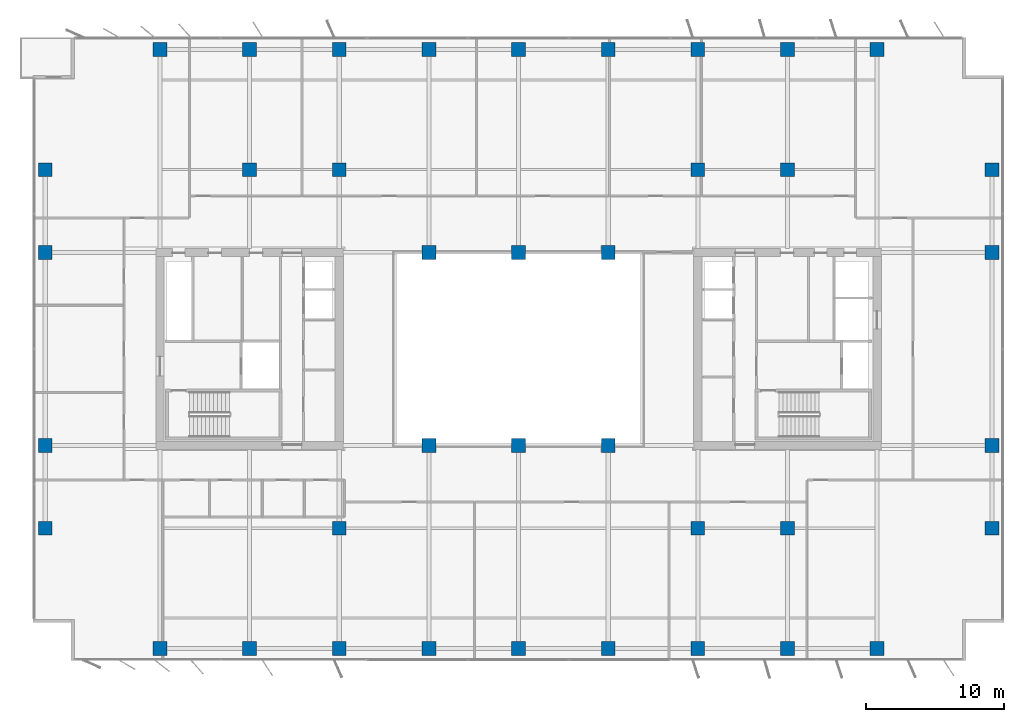
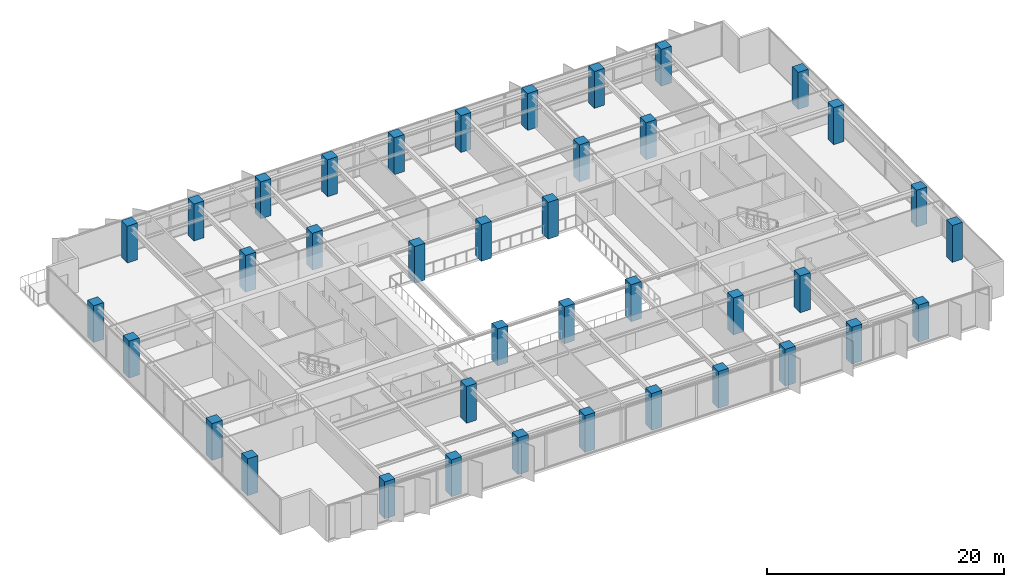
# One storey, part 1 of 22: 39 columns.
"""IFC4 building model written with IfcOpenShell, lengths in metres."""

from ifc_helpers import new_model, si_unit, direction, frame, origin, origin_2d, place, context, subcontext, project, spatial, rectangle, extrude, material, material_profile, profile_set, type_object, element, save


model = new_model("IFC4")

# Units and contexts
model_context = context("Model", 3, precision=1e-05, world=origin(), true_north=direction((0.0, 1.0)))
body_context = subcontext(model_context, "Body", "Model", "MODEL_VIEW")
ifc_project = project(units=[si_unit("LENGTHUNIT", "METRE"), si_unit("AREAUNIT", "SQUARE_METRE"), si_unit("VOLUMEUNIT", "CUBIC_METRE"), si_unit("PLANEANGLEUNIT", "RADIAN"), si_unit("MASSUNIT", "GRAM", prefix="KILO")], contexts=[model_context])

# Site, building, storey
site_placement = place(None, origin())
site = spatial("IfcSite", under=ifc_project, at=site_placement, CompositionType="ELEMENT")
building_placement = place(site_placement, origin())
building = spatial("IfcBuilding", under=site, at=building_placement, Name="Putna Gate Headquarters", CompositionType="ELEMENT")
storey_placement = place(building_placement, frame((0.0, 0.0, 155.60009765625)))
storey = spatial("IfcBuildingStorey", under=building, at=storey_placement, Name="L38", CompositionType="ELEMENT", Elevation=155.60009765625)

# Columns
ifc_material = material(Name="Concrete C50/60", Category="concrete")
ifc_material_profile_1 = material_profile(ifc_material, rectangle(XDim=1.0, YDim=1.0, at=origin_2d()), Name="Concrete C50/60")
ifc_profile_set_1 = profile_set([ifc_material_profile_1], Name="Concrete C50/60")
column_type_1 = type_object("IfcColumnType", Name="COL-RC1000-EXT", PredefinedType="COLUMN", material=ifc_profile_set_1)
for number, where, z_axis, x_axis, name in (
    (1, (13.0, 4.280029296875, 0.0), (0.0, 0.0, 1.0), (1.0, 0.0, 0.0), "L38 Column CP-S13"),
    (2, (13.0, 47.719970703125, 0.0), (0.0, 0.0, 1.0), (1.0, 0.0, 0.0), "L38 Column CP-N13"),
    (3, (19.5, 4.280029296875, 0.0), (0.0, 0.0, 1.0), (1.0, 0.0, 0.0), "L38 Column CP-S19"),
    (4, (19.5, 47.719970703125, 0.0), (0.0, 0.0, 1.0), (1.0, 0.0, 0.0), "L38 Column CP-N19"),
    (5, (26.0, 4.280029296875, 0.0), (0.0, 0.0, 1.0), (1.0, 0.0, 0.0), "L38 Column CP-S26"),
    (6, (26.0, 47.719970703125, 0.0), (0.0, 0.0, 1.0), (1.0, 0.0, 0.0), "L38 Column CP-N26"),
    (7, (32.5, 4.280029296875, 0.0), (0.0, 0.0, 1.0), (1.0, 0.0, 0.0), "L38 Column CP-S32"),
    (8, (32.5, 47.719970703125, 0.0), (0.0, 0.0, 1.0), (1.0, 0.0, 0.0), "L38 Column CP-N32"),
    (9, (39.0, 4.280029296875, 0.0), (0.0, 0.0, 1.0), (1.0, 0.0, 0.0), "L38 Column CP-S39"),
    (10, (39.0, 47.719970703125, 0.0), (0.0, 0.0, 1.0), (1.0, 0.0, 0.0), "L38 Column CP-N39"),
    (11, (45.5, 4.280029296875, 0.0), (0.0, 0.0, 1.0), (1.0, 0.0, 0.0), "L38 Column CP-S45"),
    (12, (45.5, 47.719970703125, 0.0), (0.0, 0.0, 1.0), (1.0, 0.0, 0.0), "L38 Column CP-N45"),
    (13, (52.0, 4.280029296875, 0.0), (0.0, 0.0, 1.0), (1.0, 0.0, 0.0), "L38 Column CP-S52"),
    (14, (52.0, 47.719970703125, 0.0), (0.0, 0.0, 1.0), (1.0, 0.0, 0.0), "L38 Column CP-N52"),
    (15, (58.5, 4.280029296875, 0.0), (0.0, 0.0, 1.0), (1.0, 0.0, 0.0), "L38 Column CP-S58"),
    (16, (58.5, 47.719970703125, 0.0), (0.0, 0.0, 1.0), (1.0, 0.0, 0.0), "L38 Column CP-N58"),
    (17, (65.0, 4.280029296875, 0.0), (0.0, 0.0, 1.0), (1.0, 0.0, 0.0), "L38 Column CP-S65"),
    (18, (65.0, 47.719970703125, 0.0), (0.0, 0.0, 1.0), (1.0, 0.0, 0.0), "L38 Column CP-N65"),
    (19, (4.679931640625, 13.0, 0.0), (0.0, 0.0, 1.0), (1.0, 0.0, 0.0), "L38 Column CP-W13"),
    (20, (73.320068359375, 13.0, 0.0), (0.0, 0.0, 1.0), (1.0, 0.0, 0.0), "L38 Column CP-E13"),
    (21, (4.679931640625, 19.0, 0.0), (0.0, 0.0, 1.0), (1.0, 0.0, 0.0), "L38 Column CP-W19"),
    (22, (73.320068359375, 19.0, 0.0), (0.0, 0.0, 1.0), (1.0, 0.0, 0.0), "L38 Column CP-E19"),
    (23, (4.679931640625, 33.0, 0.0), (0.0, 0.0, 1.0), (1.0, 0.0, 0.0), "L38 Column CP-W33"),
    (24, (73.320068359375, 33.0, 0.0), (0.0, 0.0, 1.0), (1.0, 0.0, 0.0), "L38 Column CP-E33"),
    (25, (4.679931640625, 39.0, 0.0), (0.0, 0.0, 1.0), (1.0, 0.0, 0.0), "L38 Column CP-W39"),
    (26, (73.320068359375, 39.0, 0.0), (0.0, 0.0, 1.0), (1.0, 0.0, 0.0), "L38 Column CP-E39"),
):
    element("IfcColumn", number, at=place(storey_placement, frame(where, z_axis=z_axis, x_axis=x_axis)), inside=storey, type_object=column_type_1, Name=name, PredefinedType="COLUMN", context=body_context, shape_type="SweptSolid", body=[
        extrude(rectangle(XDim=1.0, YDim=1.0, at=origin_2d()), origin(), (0.0, 0.0, 1.0), 3.7998046875),
    ])
ifc_material_profile_2 = material_profile(ifc_material, rectangle(XDim=1.0, YDim=1.0, at=origin_2d()), Name="Concrete C50/60")
ifc_profile_set_2 = profile_set([ifc_material_profile_2], Name="Concrete C50/60")
column_type_2 = type_object("IfcColumnType", Name="COL-RC1000-INT", PredefinedType="COLUMN", material=ifc_profile_set_2)
for number, where, z_axis, x_axis, name in (
    (27, (19.5, 39.0, 0.0), (0.0, 0.0, 1.0), (1.0, 0.0, 0.0), "L38 Column CSI-WN"),
    (28, (58.5, 13.0, 0.0), (0.0, 0.0, 1.0), (1.0, 0.0, 0.0), "L38 Column CSI-ES"),
    (29, (58.5, 39.0, 0.0), (0.0, 0.0, 1.0), (1.0, 0.0, 0.0), "L38 Column CSI-EN"),
    (30, (32.5, 19.0, 0.0), (0.0, 0.0, 1.0), (1.0, 0.0, 0.0), "L38 Column CAI-S32"),
    (31, (32.5, 33.0, 0.0), (0.0, 0.0, 1.0), (1.0, 0.0, 0.0), "L38 Column CAI-N32"),
    (32, (39.0, 19.0, 0.0), (0.0, 0.0, 1.0), (1.0, 0.0, 0.0), "L38 Column CAI-S39"),
    (33, (39.0, 33.0, 0.0), (0.0, 0.0, 1.0), (1.0, 0.0, 0.0), "L38 Column CAI-N39"),
    (34, (45.5, 19.0, 0.0), (0.0, 0.0, 1.0), (1.0, 0.0, 0.0), "L38 Column CAI-S45"),
    (35, (45.5, 33.0, 0.0), (0.0, 0.0, 1.0), (1.0, 0.0, 0.0), "L38 Column CAI-N45"),
    (36, (26.0, 13.0, 0.0), (0.0, 0.0, 1.0), (1.0, 0.0, 0.0), "L38 Column CAP-WS"),
    (37, (26.0, 39.0, 0.0), (0.0, 0.0, 1.0), (1.0, 0.0, 0.0), "L38 Column CAP-WN"),
    (38, (52.0, 13.0, 0.0), (0.0, 0.0, 1.0), (1.0, 0.0, 0.0), "L38 Column CAP-ES"),
    (39, (52.0, 39.0, 0.0), (0.0, 0.0, 1.0), (1.0, 0.0, 0.0), "L38 Column CAP-EN"),
):
    element("IfcColumn", number, at=place(storey_placement, frame(where, z_axis=z_axis, x_axis=x_axis)), inside=storey, type_object=column_type_2, Name=name, PredefinedType="COLUMN", context=body_context, shape_type="SweptSolid", body=[
        extrude(rectangle(XDim=1.0, YDim=1.0, at=origin_2d()), origin(), (0.0, 0.0, 1.0), 3.7998046875),
    ])

save(model, "model.ifc")
